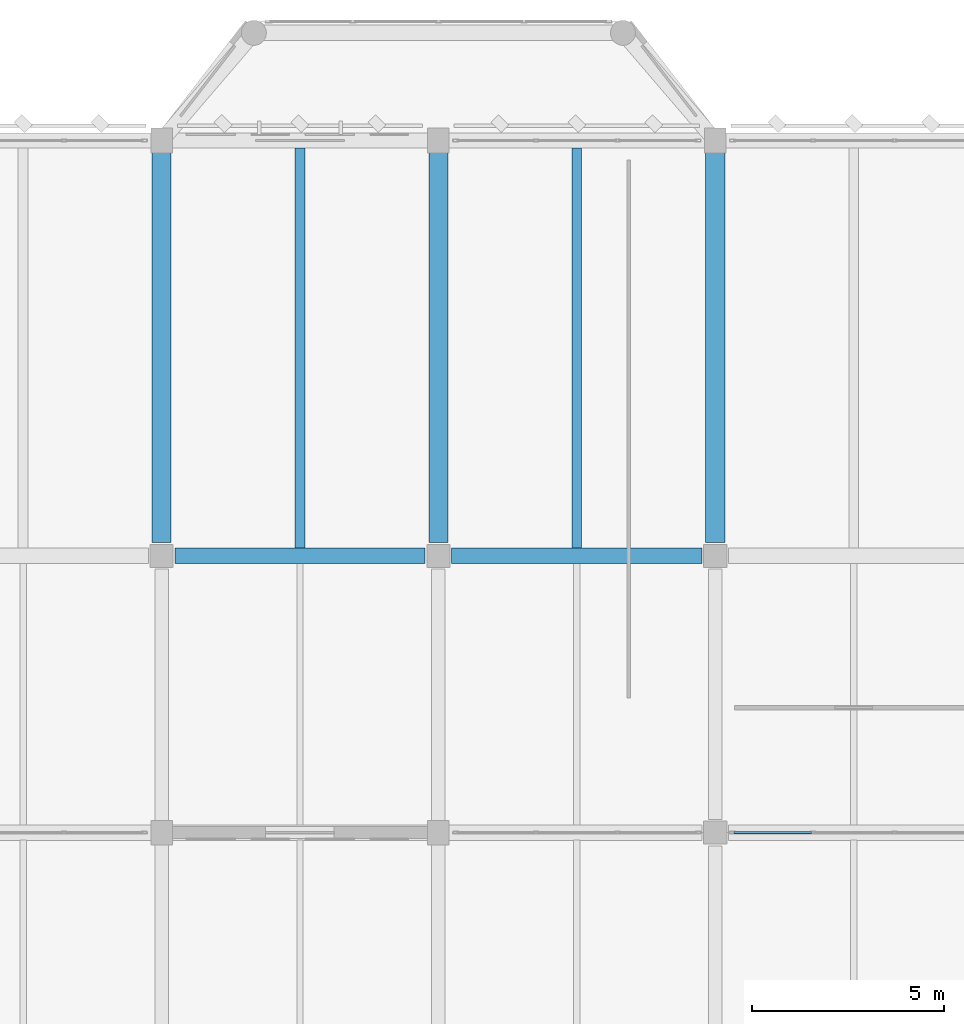
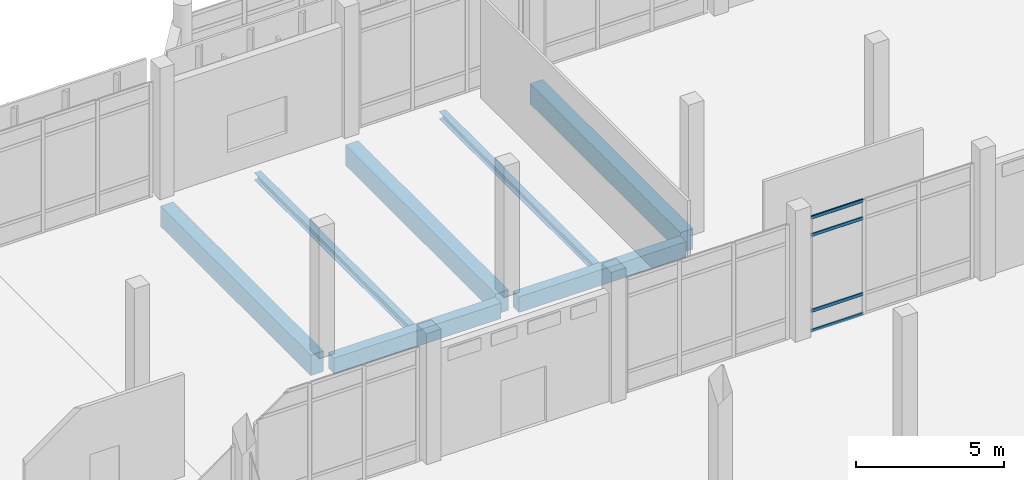
# One storey, part 127 of 180: 7 beams, 4 members, 1 element without a shape of its own.
"""IFC4 building model written with IfcOpenShell, lengths in metres."""

from ifc_helpers import new_model, si_unit, direction, frame, origin, origin_2d, place, context, subcontext, project, spatial, rectangle, hollow_rectangle, i_section, extrude, material, material_profile, profile_set, type_object, element, aggregate, save


model = new_model("IFC4")

# Units and contexts
model_context = context("Model", 3, precision=1e-05, world=origin(), true_north=direction((0.0, 1.0)))
body_context = subcontext(model_context, "Body", "Model", "MODEL_VIEW")
ifc_project = project(units=[si_unit("LENGTHUNIT", "METRE"), si_unit("AREAUNIT", "SQUARE_METRE"), si_unit("VOLUMEUNIT", "CUBIC_METRE"), si_unit("PLANEANGLEUNIT", "RADIAN"), si_unit("MASSUNIT", "GRAM", prefix="KILO")], contexts=[model_context])

# Site, building, storey
site_placement = place(None, origin())
site = spatial("IfcSite", under=ifc_project, at=site_placement, CompositionType="ELEMENT")
building_placement = place(site_placement, origin())
building = spatial("IfcBuilding", under=site, at=building_placement, Name="Lusvemor Sports Hall", CompositionType="ELEMENT")
storey_placement = place(building_placement, frame((0.0, 0.0, 5.39990234375)))
storey = spatial("IfcBuildingStorey", under=building, at=storey_placement, Name="L01", CompositionType="ELEMENT", Elevation=5.39990234375)

# Beams
ifc_material_1 = material(Name="Concrete C40/50", Category="concrete")
ifc_material_profile_1 = material_profile(ifc_material_1, rectangle(XDim=0.39990234375, YDim=0.64990234375, at=origin_2d()), Name="RC400x650")
ifc_profile_set_1 = profile_set([ifc_material_profile_1], Name="Concrete C40/50")
beam_type_1 = type_object("IfcBeamType", Name="BEAM_RC_650", PredefinedType="BEAM", material=ifc_profile_set_1)
for number, where, z_axis, x_axis, name in (
    (1, (126.345947265625, 104.39990234375, -0.5849609375), (1.0, 0.0, 0.0), (0.0, 1.0, 0.0), "Beam L01 P:14-15"),
    (2, (133.5458984375, 104.39990234375, -0.5849609375), (1.0, 0.0, 0.0), (0.0, 1.0, 0.0), "Beam L01 P:15-16"),
):
    element("IfcBeam", number, at=place(storey_placement, frame(where, z_axis=z_axis, x_axis=x_axis)), inside=storey, type_object=beam_type_1, Name=name, PredefinedType="BEAM", context=body_context, shape_type="SweptSolid", body=[
        extrude(rectangle(XDim=0.39990234375, YDim=0.64990234375, at=origin_2d()), origin(), (0.0, 0.0, 1.0), 6.508056640625),
    ])

# Curtain wall, members
ifc_material_2 = material(Name="Thermally broken bronze-anodized aluminium", Category="aluminium")
curtain_wall_type = type_object("IfcCurtainWallType", Name="CW_WING_B", PredefinedType="NOTDEFINED", material=ifc_material_2)
curtain_wall_placement = place(storey_placement, origin())
curtain_wall = element("IfcCurtainWall", 3, at=curtain_wall_placement, inside=storey, type_object=curtain_wall_type, Name="Curtain Wall CW-L01-S-3-13", PredefinedType="NOTDEFINED")
ifc_material_3 = material(Name="Thermally broken bronze-anodized aluminium", Category="aluminium")
ifc_material_profile_2 = material_profile(ifc_material_3, hollow_rectangle(XDim=0.06005859375, YDim=0.135009765625, WallThickness=0.00390625, InnerFilletRadius=0.00390625, OuterFilletRadius=0.008056640625, at=origin_2d()), Name="CWTRN135x60x4")
ifc_profile_set_2 = profile_set([ifc_material_profile_2], Name="Thermally broken bronze-anodized aluminium")
member_type = type_object("IfcMemberType", Name="CW_TRN_B", PredefinedType="USERDEFINED", material=ifc_profile_set_2)
member_1_placement = place(storey_placement, frame((142.907470703125, 97.199951171875, 0.030029296875), z_axis=(-1.0, 0.0, 0.0), x_axis=(0.0, -1.0, 0.0)))
member_1 = element("IfcMember", 4, at=member_1_placement, type_object=member_type, Name="CW02 transom 3.1", ObjectType="TRANSOM", PredefinedType="USERDEFINED", context=body_context, shape_type="SweptSolid", body=[
    extrude(hollow_rectangle(XDim=0.06005859375, YDim=0.135009765625, WallThickness=0.00390625, InnerFilletRadius=0.00390625, OuterFilletRadius=0.008056640625, at=origin_2d()), origin(), (0.0, 0.0, 1.0), 2.0224609375),
])
member_2_placement = place(storey_placement, frame((142.907470703125, 97.199951171875, 0.85009765625), z_axis=(-1.0, 0.0, 0.0), x_axis=(0.0, -1.0, 0.0)))
member_2 = element("IfcMember", 5, at=member_2_placement, type_object=member_type, Name="CW02 transom 3.2", ObjectType="TRANSOM", PredefinedType="USERDEFINED", context=body_context, shape_type="SweptSolid", body=[
    extrude(hollow_rectangle(XDim=0.06005859375, YDim=0.135009765625, WallThickness=0.00390625, InnerFilletRadius=0.00390625, OuterFilletRadius=0.008056640625, at=origin_2d()), origin(), (0.0, 0.0, 1.0), 2.0224609375),
])
member_3_placement = place(storey_placement, frame((142.907470703125, 97.199951171875, 3.97021484375), z_axis=(-1.0, 0.0, 0.0), x_axis=(0.0, -1.0, 0.0)))
member_3 = element("IfcMember", 6, at=member_3_placement, type_object=member_type, Name="CW02 transom 3.3", ObjectType="TRANSOM", PredefinedType="USERDEFINED", context=body_context, shape_type="SweptSolid", body=[
    extrude(hollow_rectangle(XDim=0.06005859375, YDim=0.135009765625, WallThickness=0.00390625, InnerFilletRadius=0.00390625, OuterFilletRadius=0.008056640625, at=origin_2d()), origin(), (0.0, 0.0, 1.0), 2.0224609375),
])
member_4_placement = place(storey_placement, frame((142.907470703125, 97.199951171875, 4.690185546875), z_axis=(-1.0, 0.0, 0.0), x_axis=(0.0, -1.0, 0.0)))
member_4 = element("IfcMember", 7, at=member_4_placement, type_object=member_type, Name="CW02 transom 3.4", ObjectType="TRANSOM", PredefinedType="USERDEFINED", context=body_context, shape_type="SweptSolid", body=[
    extrude(hollow_rectangle(XDim=0.06005859375, YDim=0.135009765625, WallThickness=0.00390625, InnerFilletRadius=0.00390625, OuterFilletRadius=0.008056640625, at=origin_2d()), origin(), (0.0, 0.0, 1.0), 2.0224609375),
])
aggregate(curtain_wall, [member_1, member_2, member_3, member_4])

# Beams
ifc_material_4 = material(Name="Concrete C40/50", Category="concrete")
ifc_material_profile_3 = material_profile(ifc_material_4, rectangle(XDim=0.5, YDim=0.85009765625, at=origin_2d()), Name="RC500x850")
ifc_profile_set_3 = profile_set([ifc_material_profile_3], Name="Concrete C40/50")
beam_type_2 = type_object("IfcBeamType", Name="GIRD_RC_850", PredefinedType="T_BEAM", material=ifc_profile_set_3)
for number, where, z_axis, x_axis, name in (
    (8, (126.0, 104.74609375, -0.684814453125), (0.0, 1.0, 0.0), (-1.0, 0.0, 0.0), "Beam L01 14:P-Q"),
    (9, (133.199951171875, 104.74609375, -0.684814453125), (0.0, 1.0, 0.0), (-1.0, 0.0, 0.0), "Beam L01 15:P-Q"),
    (10, (140.39990234375, 104.74609375, -0.684814453125), (0.0, 1.0, 0.0), (-1.0, 0.0, 0.0), "Beam L01 16:P-Q"),
):
    element("IfcBeam", number, at=place(storey_placement, frame(where, z_axis=z_axis, x_axis=x_axis)), inside=storey, type_object=beam_type_2, Name=name, PredefinedType="T_BEAM", context=body_context, shape_type="SweptSolid", body=[
        extrude(rectangle(XDim=0.5, YDim=0.85009765625, at=origin_2d()), origin(), (0.0, 0.0, 1.0), 10.137939453125),
    ])
ifc_material_5 = material(Name="Steel S355", Category="steel")
ifc_material_profile_4 = material_profile(ifc_material_5, i_section(OverallWidth=0.25390625, OverallDepth=0.305908203125, WebThickness=0.0087890625, FlangeThickness=0.0146484375, FilletRadius=0.014892578125, at=origin_2d()), Name="W310x79.0")
ifc_profile_set_4 = profile_set([ifc_material_profile_4], Name="Steel S355")
beam_type_3 = type_object("IfcBeamType", Name="JOIST_ST_310H", PredefinedType="JOIST", material=ifc_profile_set_4)
for number, where, z_axis, x_axis, name in (
    (11, (129.60009765625, 104.595947265625, -0.4169921875), (0.0, 1.0, 0.0), (-1.0, 0.0, 0.0), "Secondary Joist L01 14-15/P-Q #1"),
    (12, (136.800048828125, 104.595947265625, -0.4169921875), (0.0, 1.0, 0.0), (-1.0, 0.0, 0.0), "Secondary Joist L01 15-16/P-Q #1"),
):
    element("IfcBeam", number, at=place(storey_placement, frame(where, z_axis=z_axis, x_axis=x_axis)), inside=storey, type_object=beam_type_3, Name=name, PredefinedType="JOIST", context=body_context, shape_type="SweptSolid", body=[
        extrude(i_section(OverallWidth=0.25390625, OverallDepth=0.305908203125, WebThickness=0.0087890625, FlangeThickness=0.0146484375, FilletRadius=0.014892578125, at=origin_2d()), origin(), (0.0, 0.0, 1.0), 10.407958984375),
    ])

save(model, "model.ifc")
